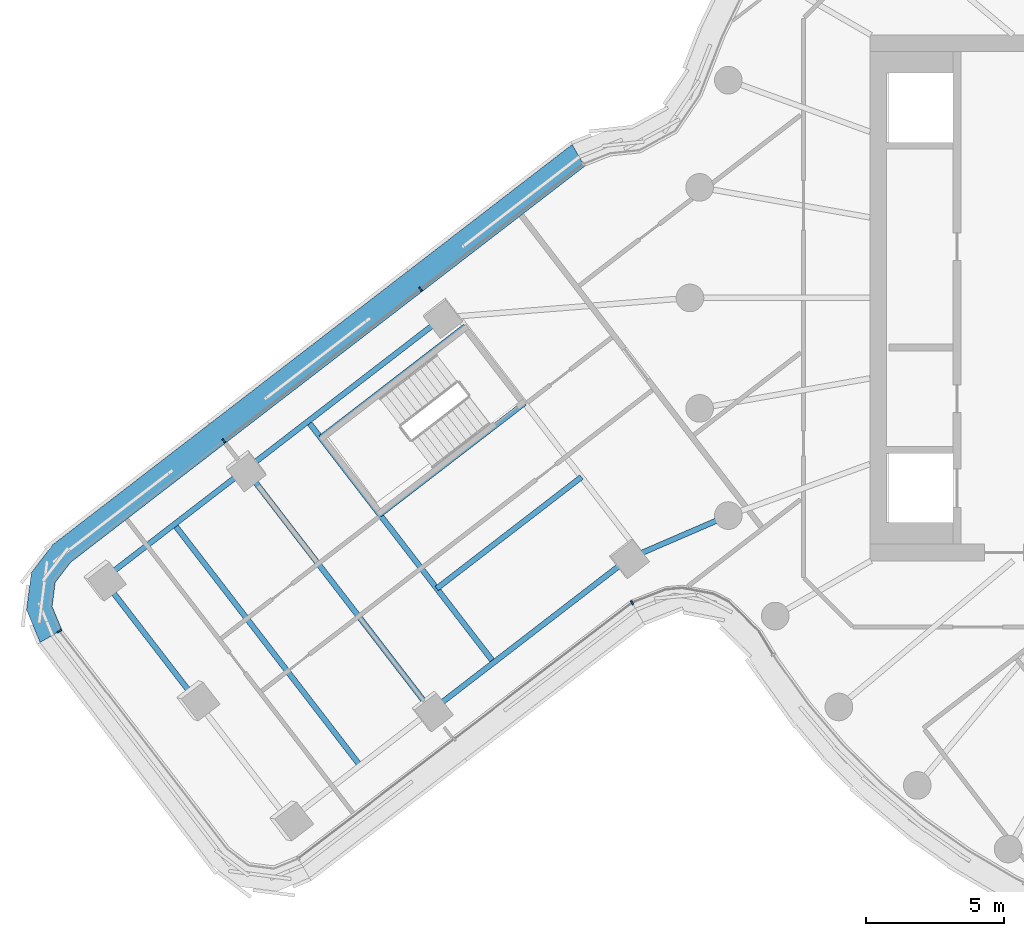
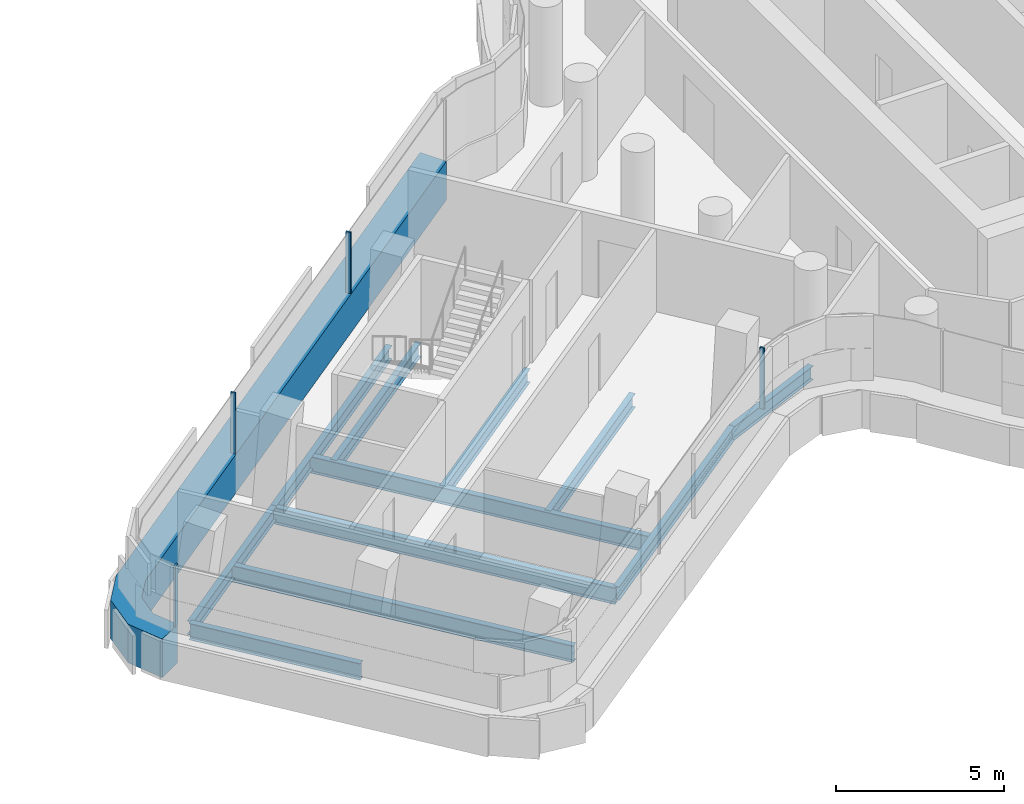
# One storey, part 8 of 33: 11 beams, 5 members, 3 elements without a shape of their own.
"""IFC4 building model written with IfcOpenShell, lengths in metres."""

from ifc_helpers import new_model, si_unit, direction, frame, origin, origin_2d, place, context, subcontext, project, spatial, polyline, rectangle, i_section, outline, extrude, material, layer, layer_set, material_profile, profile_set, type_object, element, aggregate, save


model = new_model("IFC4")

# Units and contexts
model_context = context("Model", 3, precision=1e-05, world=origin(), true_north=direction((0.0, 1.0)))
body_context = subcontext(model_context, "Body", "Model", "MODEL_VIEW")
ifc_project = project(units=[si_unit("LENGTHUNIT", "METRE"), si_unit("AREAUNIT", "SQUARE_METRE"), si_unit("VOLUMEUNIT", "CUBIC_METRE"), si_unit("PLANEANGLEUNIT", "RADIAN"), si_unit("MASSUNIT", "GRAM", prefix="KILO")], contexts=[model_context])

# Site, building, storey
site_placement = place(None, origin())
site = spatial("IfcSite", under=ifc_project, at=site_placement, CompositionType="ELEMENT")
building_placement = place(site_placement, origin())
building = spatial("IfcBuilding", under=site, at=building_placement, Name="Tamarind Cross Interchange Tower", CompositionType="ELEMENT")
storey_placement = place(building_placement, frame((0.0, 0.0, 170.5)))
storey = spatial("IfcBuildingStorey", under=building, at=storey_placement, Name="L42", CompositionType="ELEMENT", Elevation=170.5)

# Beams
ifc_material_1 = material(Name="Steel Q355B", Category="steel")
ifc_material_profile_1 = material_profile(ifc_material_1, i_section(OverallWidth=0.198974609375, OverallDepth=0.49609375, WebThickness=0.009033203125, FlangeThickness=0.013916015625, FilletRadius=0.012939453125, at=origin_2d()), Name="HN 496x199x9x14")
ifc_profile_set_1 = profile_set([ifc_material_profile_1], Name="Steel Q355B")
beam_type_1 = type_object("IfcBeamType", Name="Composite beam HN 496x199x9x14 Q355B", PredefinedType="BEAM", material=ifc_profile_set_1)
beam_1_placement = place(storey_placement, frame((-44.21337890625, -10.17138671875, -0.387939453125), z_axis=(0.792149322679, 0.610327330684, 0.0), x_axis=(-0.610327330684, 0.792149322679, 0.0)))
element("IfcBeam", 1, at=beam_1_placement, inside=storey, type_object=beam_type_1, Name="Beam W-edgeem5", PredefinedType="BEAM", context=body_context, shape_type="SweptSolid", body=[
    extrude(i_section(OverallWidth=0.198974609375, OverallDepth=0.49609375, WebThickness=0.009033203125, FlangeThickness=0.013916015625, FilletRadius=0.012939453125, at=origin_2d()), origin(), (0.0, 0.0, 1.0), 6.504150390625),
])
for number, where, z_axis, x_axis, name in (
    (2, (-39.06103515625, -6.20166015625, -0.387939453125), (0.792152817662, 0.610322794486, 0.0), (-0.610322794486, 0.792152817662, 0.0), "Beam W-edgeem6"),
    (3, (-32.347412109375, -14.91552734375, -0.387939453125), (0.792152817662, 0.610322794486, 0.0), (-0.610322794486, 0.792152817662, 0.0), "Beam W-edgeep3"),
):
    element("IfcBeam", number, at=place(storey_placement, frame(where, z_axis=z_axis, x_axis=x_axis)), inside=storey, type_object=beam_type_1, Name=name, PredefinedType="BEAM", context=body_context, shape_type="SweptSolid", body=[
        extrude(i_section(OverallWidth=0.198974609375, OverallDepth=0.49609375, WebThickness=0.009033203125, FlangeThickness=0.013916015625, FilletRadius=0.012939453125, at=origin_2d()), origin(), (0.0, 0.0, 1.0), 9.0),
    ])
beam_2_placement = place(storey_placement, frame((-25.218017578125, -9.422607421875, -0.387939453125), z_axis=(0.918112748588, 0.396319291582, 0.0), x_axis=(-0.396319291582, 0.918112748588, 0.0)))
element("IfcBeam", 4, at=beam_2_placement, inside=storey, type_object=beam_type_1, Name="Beam W-linkep", PredefinedType="BEAM", context=body_context, shape_type="SweptSolid", body=[
    extrude(i_section(OverallWidth=0.198974609375, OverallDepth=0.49609375, WebThickness=0.009033203125, FlangeThickness=0.013916015625, FilletRadius=0.012939453125, at=origin_2d()), origin(), (0.0, 0.0, 1.0), 3.926513671875),
])
for number, where, z_axis, x_axis, name in (
    (5, (-31.117431640625, -1.0283203125, -0.387939453125), (-0.792160342435, -0.610313027776, 0.0), (0.610313027776, -0.792160342435, 0.0), "Beam W-tr0"),
    (6, (-28.981201171875, -3.80078125, -0.387939453125), (-0.792160342435, -0.610313027776, 0.0), (0.610313027776, -0.792160342435, 0.0), "Beam W-tr1"),
    (7, (-26.92138671875, -6.474365234375, -0.387939453125), (-0.792160342435, -0.610313027776, 0.0), (0.610313027776, -0.792160342435, 0.0), "Beam W-stripp"),
):
    element("IfcBeam", number, at=place(storey_placement, frame(where, z_axis=z_axis, x_axis=x_axis)), inside=storey, type_object=beam_type_1, Name=name, PredefinedType="BEAM", context=body_context, shape_type="SweptSolid", body=[
        extrude(i_section(OverallWidth=0.198974609375, OverallDepth=0.49609375, WebThickness=0.009033203125, FlangeThickness=0.013916015625, FilletRadius=0.012939453125, at=origin_2d()), origin(), (0.0, 0.0, 1.0), 6.60009765625),
    ])
ifc_material_profile_2 = material_profile(ifc_material_1, i_section(OverallWidth=0.199951171875, OverallDepth=0.60009765625, WebThickness=0.010986328125, FlangeThickness=0.01708984375, FilletRadius=0.012939453125, at=origin_2d()), Name="HN 600x200x11x17")
ifc_profile_set_2 = profile_set([ifc_material_profile_2], Name="Steel Q355B")
beam_type_2 = type_object("IfcBeamType", Name="Composite beam HN 600x200x11x17 Q355B", PredefinedType="BEAM", material=ifc_profile_set_2)
beam_3_placement = place(storey_placement, frame((-44.21337890625, -10.17138671875, -0.43994140625), z_axis=(0.610332662725, -0.792145214472, 0.0), x_axis=(0.792145214472, 0.610332662725, 0.0)))
element("IfcBeam", 8, at=beam_3_placement, inside=storey, type_object=beam_type_2, Name="Beam W-tip0", PredefinedType="BEAM", context=body_context, shape_type="SweptSolid", body=[
    extrude(i_section(OverallWidth=0.199951171875, OverallDepth=0.60009765625, WebThickness=0.010986328125, FlangeThickness=0.01708984375, FilletRadius=0.012939453125, at=origin_2d()), origin(), (0.0, 0.0, 1.0), 5.500244140625),
])
beam_4_placement = place(storey_placement, frame((-36.803466796875, -4.46240234375, -0.43994140625), z_axis=(0.61032946621, -0.792147677315, 0.0), x_axis=(0.792147677315, 0.61032946621, 0.0)))
element("IfcBeam", 9, at=beam_4_placement, inside=storey, type_object=beam_type_2, Name="Beam W-x364", PredefinedType="BEAM", context=body_context, shape_type="SweptSolid", body=[
    extrude(i_section(OverallWidth=0.199951171875, OverallDepth=0.60009765625, WebThickness=0.010986328125, FlangeThickness=0.01708984375, FilletRadius=0.012939453125, at=origin_2d()), origin(), (0.0, 0.0, 1.0), 11.0),
])
beam_5_placement = place(storey_placement, frame((-39.06103515625, -6.20166015625, -0.43994140625), z_axis=(0.610318735893, -0.792155944634, 0.0), x_axis=(0.792155944634, 0.610318735893, 0.0)))
element("IfcBeam", 10, at=beam_5_placement, inside=storey, type_object=beam_type_2, Name="Beam W-x393", PredefinedType="BEAM", context=body_context, shape_type="SweptSolid", body=[
    extrude(i_section(OverallWidth=0.199951171875, OverallDepth=0.60009765625, WebThickness=0.010986328125, FlangeThickness=0.01708984375, FilletRadius=0.012939453125, at=origin_2d()), origin(), (0.0, 0.0, 1.0), 11.000244140625),
])
beam_6_placement = place(storey_placement, frame((-41.63720703125, -8.1865234375, -0.43994140625), z_axis=(0.61032946621, -0.792147677315, 0.0), x_axis=(0.792147677315, 0.61032946621, 0.0)))
element("IfcBeam", 11, at=beam_6_placement, inside=storey, type_object=beam_type_2, Name="Beam W-x426", PredefinedType="BEAM", context=body_context, shape_type="SweptSolid", body=[
    extrude(i_section(OverallWidth=0.199951171875, OverallDepth=0.60009765625, WebThickness=0.010986328125, FlangeThickness=0.01708984375, FilletRadius=0.012939453125, at=origin_2d()), origin(), (0.0, 0.0, 1.0), 11.0),
])

# Curtain wall, members
ifc_material_2 = material(Name="Aluminium 6063-T6", Category="aluminium")
ifc_layer = layer(ifc_material_2, 0.159912109375)
ifc_layer_set = layer_set([ifc_layer], Name="Aluminium 6063-T6")
curtain_wall_type = type_object("IfcCurtainWallType", Name="Office curtain wall, 9.0 m bays", PredefinedType="NOTDEFINED", material=ifc_layer_set)
curtain_wall_1_placement = place(storey_placement, origin())
curtain_wall_1 = element("IfcCurtainWall", 12, at=curtain_wall_1_placement, inside=storey, type_object=curtain_wall_type, Name="CWS-L42-07", PredefinedType="NOTDEFINED")
ifc_material_3 = material(Name="Aluminium and insulated spandrel panel", Category="aluminium")
member_type_1 = type_object("IfcMemberType", Name="Floor-edge blade transom", PredefinedType="USERDEFINED", material=ifc_material_3)
member_1_placement = place(storey_placement, origin())
member_1 = element("IfcMember", 13, at=member_1_placement, type_object=member_type_1, Name="CWT-L42-07", ObjectType="TRANSOM", PredefinedType="USERDEFINED", context=body_context, shape_type="SweptSolid", body=[
    extrude(outline(polyline([(-26.8076171875, 4.75390625), (-45.3837890625, -9.558349609375), (-45.939697265625, -10.28564453125), (-46.052001953125, -11.15283203125), (-45.699951171875, -11.997802734375), (-46.4853515625, -12.453369140625), (-46.9755859375, -11.2763671875), (-46.801025390625, -9.9306640625), (-46.02685546875, -8.917724609375), (-27.25830078125, 5.542724609375), (-26.8076171875, 4.75390625)])), origin(), (0.0, 0.0, 1.0), 1.39990234375),
])
ifc_material_profile_3 = material_profile(ifc_material_2, rectangle(XDim=0.06005859375, YDim=0.159912109375, at=origin_2d()), Name="Mullion CW1")
ifc_profile_set_3 = profile_set([ifc_material_profile_3], Name="Aluminium 6063-T6")
member_type_2 = type_object("IfcMemberType", Name="Mullion CW1", PredefinedType="MULLION", material=ifc_profile_set_3)
member_2_placement = place(storey_placement, frame((-32.7333984375, 0.314453125, 1.39990234375), z_axis=(0.0, 0.0, 1.0), x_axis=(-0.792153315847, -0.610322147879, 0.0)))
member_2 = element("IfcMember", 14, at=member_2_placement, type_object=member_type_2, Name="CWM-L42-07-01", PredefinedType="MULLION", context=body_context, shape_type="SweptSolid", body=[
    extrude(rectangle(XDim=0.06005859375, YDim=0.159912109375, at=origin_2d()), origin(), (0.0, 0.0, 1.0), 2.210205078125),
])
member_3_placement = place(storey_placement, frame((-39.846435546875, -5.165771484375, 1.39990234375), z_axis=(0.0, 0.0, 1.0), x_axis=(-0.792153315847, -0.610322147879, 0.0)))
member_3 = element("IfcMember", 15, at=member_3_placement, type_object=member_type_2, Name="CWM-L42-07-02", PredefinedType="MULLION", context=body_context, shape_type="SweptSolid", body=[
    extrude(rectangle(XDim=0.06005859375, YDim=0.159912109375, at=origin_2d()), origin(), (0.0, 0.0, 1.0), 2.210205078125),
])
aggregate(curtain_wall_1, [member_2, member_3, member_1])

# Curtain wall, member
curtain_wall_2_placement = place(storey_placement, origin())
curtain_wall_2 = element("IfcCurtainWall", 16, at=curtain_wall_2_placement, inside=storey, type_object=curtain_wall_type, Name="CWS-L42-08", PredefinedType="NOTDEFINED")
member_4_placement = place(storey_placement, frame((-45.787353515625, -12.048583984375, 1.39990234375), z_axis=(0.0, 0.0, 1.0), x_axis=(0.501704001325, -0.865039360407, 0.0)))
member_4 = element("IfcMember", 17, at=member_4_placement, type_object=member_type_2, Name="CWM-L42-08-00", PredefinedType="MULLION", context=body_context, shape_type="SweptSolid", body=[
    extrude(rectangle(XDim=0.06005859375, YDim=0.159912109375, at=origin_2d()), origin(), (0.0, 0.0, 1.0), 2.210205078125),
])
aggregate(curtain_wall_2, [member_4])

curtain_wall_3_placement = place(storey_placement, origin())
curtain_wall_3 = element("IfcCurtainWall", 18, at=curtain_wall_3_placement, inside=storey, type_object=curtain_wall_type, Name="CWS-L42-10", PredefinedType="NOTDEFINED")
member_5_placement = place(storey_placement, frame((-25.090087890625, -11.0146484375, 1.39990234375), z_axis=(0.0, 0.0, 1.0), x_axis=(0.870610944593, 0.491972136563, 0.0)))
member_5 = element("IfcMember", 19, at=member_5_placement, type_object=member_type_2, Name="CWM-L42-10-00", PredefinedType="MULLION", context=body_context, shape_type="SweptSolid", body=[
    extrude(rectangle(XDim=0.06005859375, YDim=0.159912109375, at=origin_2d()), origin(), (0.0, 0.0, 1.0), 2.210205078125),
])
aggregate(curtain_wall_3, [member_5])

save(model, "model.ifc")
